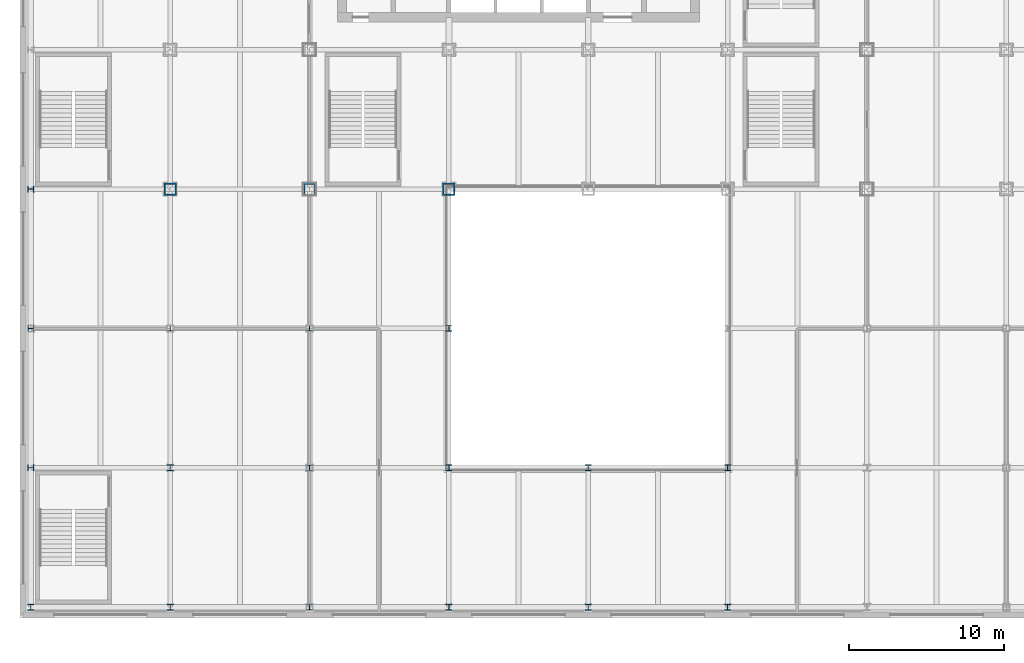
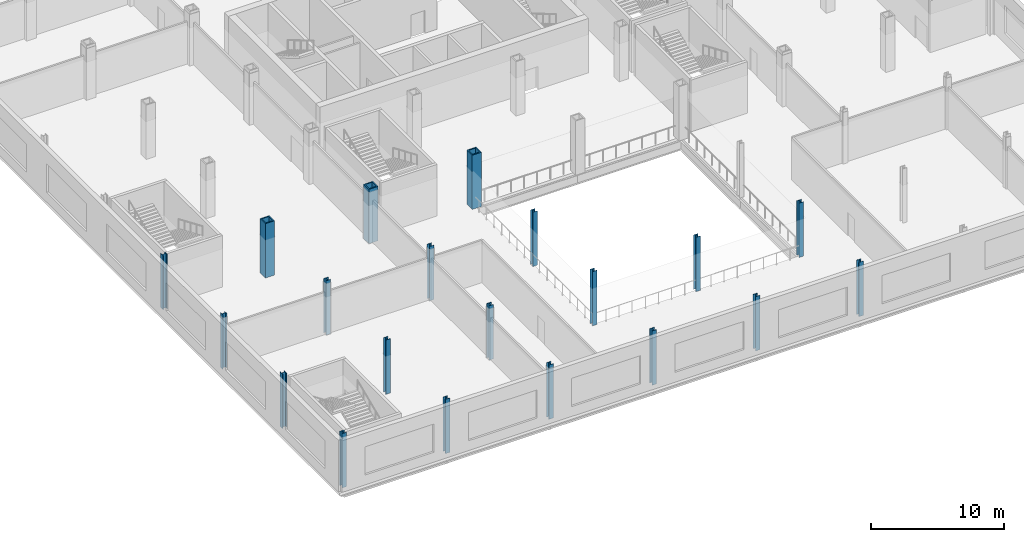
# One storey, part 1 of 31: 20 columns.
"""IFC4 building model written with IfcOpenShell, lengths in metres."""

from ifc_helpers import new_model, si_unit, direction, frame, origin, origin_2d, place, context, subcontext, project, spatial, hollow_rectangle, i_section, extrude, material, material_profile, profile_set, type_object, element, save


model = new_model("IFC4")

# Units and contexts
model_context = context("Model", 3, precision=1e-05, world=origin(), true_north=direction((0.0, 1.0)))
body_context = subcontext(model_context, "Body", "Model", "MODEL_VIEW")
ifc_project = project(units=[si_unit("LENGTHUNIT", "METRE"), si_unit("AREAUNIT", "SQUARE_METRE"), si_unit("VOLUMEUNIT", "CUBIC_METRE"), si_unit("PLANEANGLEUNIT", "RADIAN"), si_unit("MASSUNIT", "GRAM", prefix="KILO")], contexts=[model_context])

# Site, building, storey
site_placement = place(None, origin())
site = spatial("IfcSite", under=ifc_project, at=site_placement, CompositionType="ELEMENT")
building_placement = place(site_placement, origin())
building = spatial("IfcBuilding", under=site, at=building_placement, Name="Loomwork Tower", CompositionType="ELEMENT")
storey_placement = place(building_placement, frame((0.0, 0.0, 11.0)))
storey = spatial("IfcBuildingStorey", under=building, at=storey_placement, Name="L02", CompositionType="ELEMENT", Elevation=11.0)

# Columns
ifc_material_1 = material(Name="Steel ASTM A572 Grade 50 plate", Category="steel")
ifc_material_profile_1 = material_profile(ifc_material_1, hollow_rectangle(XDim=0.800048828125, YDim=0.800048828125, WallThickness=0.10009765625, at=origin_2d()), Name="BOX800x100")
ifc_profile_set_1 = profile_set([ifc_material_profile_1], Name="Steel ASTM A572 Grade 50 plate")
column_type_1 = type_object("IfcColumnType", Name="EXOSKELETON PIER BOX800x100", PredefinedType="COLUMN", material=ifc_profile_set_1)
for number, where, z_axis, x_axis, name in (
    (1, (0.0, 0.0, 0.0), (0.0, 0.0, 1.0), (1.0, 0.0, 0.0), "Exoskeleton Pier D/2 L02"),
    (2, (9.0, 0.0, 0.0), (0.0, 0.0, 1.0), (1.0, 0.0, 0.0), "Exoskeleton Pier D/3 L02"),
    (3, (18.0, 0.0, 0.0), (0.0, 0.0, 1.0), (1.0, 0.0, 0.0), "Exoskeleton Pier D/4 L02"),
):
    element("IfcColumn", number, at=place(storey_placement, frame(where, z_axis=z_axis, x_axis=x_axis)), inside=storey, type_object=column_type_1, Name=name, PredefinedType="COLUMN", context=body_context, shape_type="SweptSolid", body=[
        extrude(hollow_rectangle(XDim=0.800048828125, YDim=0.800048828125, WallThickness=0.10009765625, at=origin_2d()), origin(), (0.0, 0.0, 1.0), 5.0),
    ])
ifc_material_2 = material(Name="Steel ASTM A992", Category="steel")
ifc_material_profile_2 = material_profile(ifc_material_2, i_section(OverallWidth=0.393798828125, OverallDepth=0.3759765625, WebThickness=0.017333984375, FlangeThickness=0.027587890625, at=origin_2d()), Name="W14x145")
ifc_profile_set_2 = profile_set([ifc_material_profile_2], Name="Steel ASTM A992")
column_type_2 = type_object("IfcColumnType", Name="PODIUM COLUMN W14x145", PredefinedType="COLUMN", material=ifc_profile_set_2)
for number, where, z_axis, x_axis, name in (
    (4, (-9.0, -27.0, 0.0), (0.0, 0.0, 1.0), (1.0, 0.0, 0.0), "Podium Column A/1 L02"),
    (5, (-9.0, -18.0, 0.0), (0.0, 0.0, 1.0), (0.0, 1.0, 0.0), "Podium Column B/1 L02"),
    (6, (-9.0, -9.0, 0.0), (0.0, 0.0, 1.0), (0.0, 1.0, 0.0), "Podium Column C/1 L02"),
    (7, (-9.0, 0.0, 0.0), (0.0, 0.0, 1.0), (0.0, 1.0, 0.0), "Podium Column D/1 L02"),
    (8, (0.0, -27.0, 0.0), (0.0, 0.0, 1.0), (1.0, 0.0, 0.0), "Podium Column A/2 L02"),
    (9, (0.0, -18.0, 0.0), (0.0, 0.0, 1.0), (1.0, 0.0, 0.0), "Podium Column B/2 L02"),
    (10, (0.0, -9.0, 0.0), (0.0, 0.0, 1.0), (1.0, 0.0, 0.0), "Podium Column C/2 L02"),
    (11, (9.0, -27.0, 0.0), (0.0, 0.0, 1.0), (1.0, 0.0, 0.0), "Podium Column A/3 L02"),
    (12, (9.0, -18.0, 0.0), (0.0, 0.0, 1.0), (1.0, 0.0, 0.0), "Podium Column B/3 L02"),
    (13, (9.0, -9.0, 0.0), (0.0, 0.0, 1.0), (1.0, 0.0, 0.0), "Podium Column C/3 L02"),
    (14, (18.0, -27.0, 0.0), (0.0, 0.0, 1.0), (1.0, 0.0, 0.0), "Podium Column A/4 L02"),
    (15, (18.0, -18.0, 0.0), (0.0, 0.0, 1.0), (1.0, 0.0, 0.0), "Podium Column B/4 L02"),
    (16, (18.0, -9.0, 0.0), (0.0, 0.0, 1.0), (1.0, 0.0, 0.0), "Podium Column C/4 L02"),
    (17, (27.0, -27.0, 0.0), (0.0, 0.0, 1.0), (1.0, 0.0, 0.0), "Podium Column A/5 L02"),
    (18, (27.0, -18.0, 0.0), (0.0, 0.0, 1.0), (1.0, 0.0, 0.0), "Podium Column B/5 L02"),
    (19, (36.0, -27.0, 0.0), (0.0, 0.0, 1.0), (1.0, 0.0, 0.0), "Podium Column A/6 L02"),
    (20, (36.0, -18.0, 0.0), (0.0, 0.0, 1.0), (1.0, 0.0, 0.0), "Podium Column B/6 L02"),
):
    element("IfcColumn", number, at=place(storey_placement, frame(where, z_axis=z_axis, x_axis=x_axis)), inside=storey, type_object=column_type_2, Name=name, PredefinedType="COLUMN", context=body_context, shape_type="SweptSolid", body=[
        extrude(i_section(OverallWidth=0.393798828125, OverallDepth=0.3759765625, WebThickness=0.017333984375, FlangeThickness=0.027587890625, at=origin_2d()), origin(), (0.0, 0.0, 1.0), 5.0),
    ])

save(model, "model.ifc")
